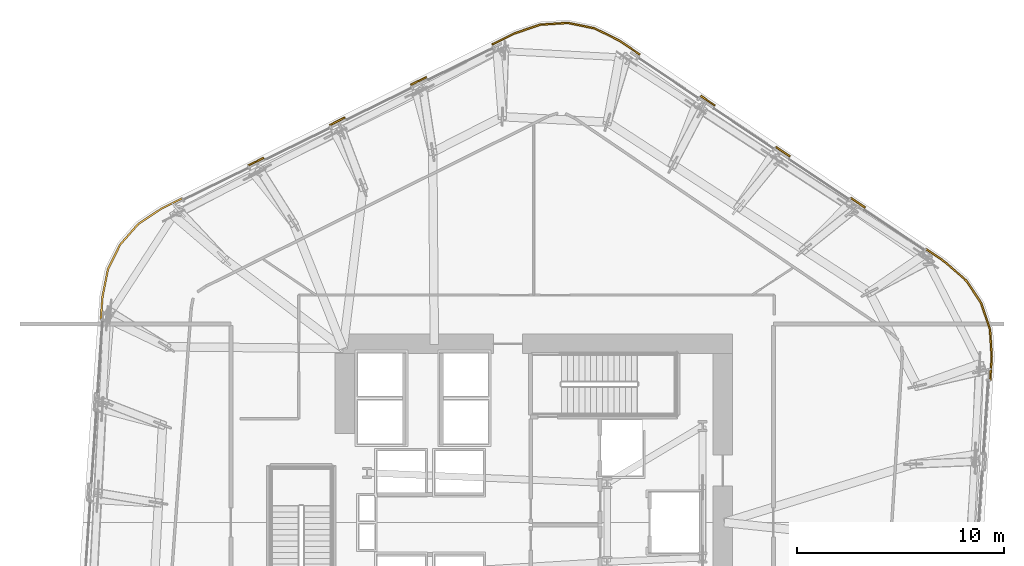
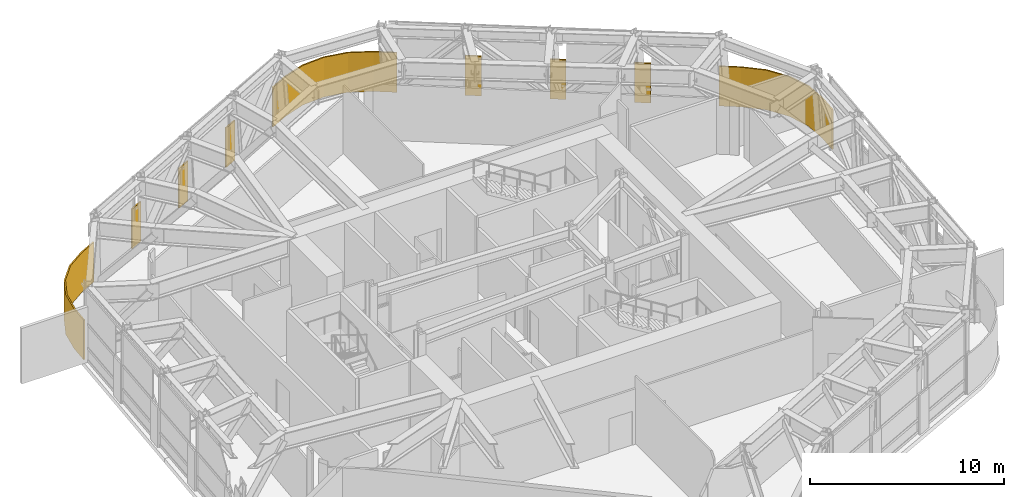
# One storey, part 14 of 14: 9 coverings.
"""IFC4 building model written with IfcOpenShell, lengths in metres."""

import ifcopenshell
import ifcopenshell.guid

model = None  # the IFC model being written
_history = None  # IfcOwnerHistory: only IFC2X3 demands one
_inside = {}  # id of a spatial element -> (the spatial element, [elements in it])
_under = {}  # id of a project, library or spatial element -> (it, [spatial elements below it])
_declared = {}  # id of a project -> (the project, [libraries it declares])
_typed = {}  # id of a type object -> (the type object, [elements of that type])
_made_of = {}  # id of a material, layer set ... -> (it, [elements and type objects made of it])


def new_model(schema):
    """Start an empty IFC model of exactly this schema.

    Asked for "IFC4X3", IfcOpenShell would pick the latest addendum, in which some entities
    have other attributes; the version numbers below select the first issue.
    IFC2X3 requires an IfcOwnerHistory on every rooted entity: one is made here for all.
    """
    global model, _history
    if schema == "IFC4X3":
        model = ifcopenshell.file(schema_version=(4, 3, 0, 0))
    else:
        model = ifcopenshell.file(schema=schema)
    _inside.clear()
    _under.clear()
    _declared.clear()
    _typed.clear()
    _made_of.clear()
    _history = None
    if model.schema == "IFC2X3":
        org = make("IfcOrganization", Name="unknown")
        user = make(
            "IfcPersonAndOrganization",
            ThePerson=make("IfcPerson", FamilyName="unknown"),
            TheOrganization=org,
        )
        app = make(
            "IfcApplication",
            ApplicationDeveloper=org,
            Version="unknown",
            ApplicationFullName="unknown",
            ApplicationIdentifier="unknown",
        )
        _history = make(
            "IfcOwnerHistory",
            OwningUser=user,
            OwningApplication=app,
            ChangeAction="ADDED",
            CreationDate=0,
        )
    return model


def make(cls, **values):
    """One entity of the class cls with the attributes given. An attribute that is None is left unset."""
    return model.create_entity(
        cls, **{name: value for name, value in values.items() if value is not None}
    )


def rooted(cls, **values):
    """An entity with a GlobalId (a new one), such as an element, a storey or a relation."""
    return make(cls, GlobalId=ifcopenshell.guid.new(), OwnerHistory=_history, **values)


def si_unit(unit_type, name, prefix=None):
    """IfcSIUnit, for example si_unit("LENGTHUNIT", "METRE", prefix="MILLI")."""
    return make("IfcSIUnit", UnitType=unit_type, Prefix=prefix, Name=name)


def assignment(units):
    """IfcUnitAssignment: the units of a project."""
    return None if units is None else make("IfcUnitAssignment", Units=units)


def point(xyz):
    """IfcCartesianPoint."""
    return None if xyz is None else make("IfcCartesianPoint", Coordinates=xyz)


def direction(xyz):
    """IfcDirection."""
    return None if xyz is None else make("IfcDirection", DirectionRatios=xyz)


def frame(location, z_axis=None, x_axis=None):
    """IfcAxis2Placement3D, a coordinate frame: its origin and axes. An axis left out is left unset."""
    return make(
        "IfcAxis2Placement3D",
        Location=point(location),
        Axis=direction(z_axis),
        RefDirection=direction(x_axis),
    )


def origin():
    """The frame at (0, 0, 0) with its axes left unset."""
    return frame((0.0, 0.0, 0.0))


def place(relative_to, where):
    """IfcLocalPlacement: puts the frame where relative to a parent placement (None: the world)."""
    return make(
        "IfcLocalPlacement", PlacementRelTo=relative_to, RelativePlacement=where
    )


def context(
    kind, dimensions, precision=None, world=None, true_north=None, identifier=None
):
    """IfcGeometricRepresentationContext, for example the 3D "Model" context."""
    return make(
        "IfcGeometricRepresentationContext",
        ContextIdentifier=identifier,
        ContextType=kind,
        CoordinateSpaceDimension=dimensions,
        Precision=precision,
        WorldCoordinateSystem=world,
        TrueNorth=true_north,
    )


def subcontext(parent, identifier, kind, view, scale=None):
    """IfcGeometricRepresentationSubContext, for example "Body" below "Model"."""
    return make(
        "IfcGeometricRepresentationSubContext",
        ContextIdentifier=identifier,
        ContextType=kind,
        ParentContext=parent,
        TargetScale=scale,
        TargetView=view,
    )


def project(units=None, contexts=None):
    """IfcProject with its units and contexts."""
    return rooted(
        "IfcProject",
        Name="project",
        RepresentationContexts=contexts,
        UnitsInContext=assignment(units),
    )


def spatial(cls, under=None, at=None, **own):
    """A site, building, storey or space (cls), placed at a placement, below another one or the project."""
    s = rooted(cls, ObjectPlacement=at, **own)
    if under is not None:
        _under.setdefault(under.id(), (under, []))[1].append(s)
    return s


def polyline(points):
    """IfcPolyline through the points."""
    return make("IfcPolyline", Points=[point(p) for p in points])


def outline(outer, holes=None, kind="AREA"):
    """IfcArbitraryClosedProfileDef: a profile drawn as a closed curve; with holes, ...WithVoids."""
    if holes is None:
        return make("IfcArbitraryClosedProfileDef", ProfileType=kind, OuterCurve=outer)
    return make(
        "IfcArbitraryProfileDefWithVoids",
        ProfileType=kind,
        OuterCurve=outer,
        InnerCurves=holes,
    )


def extrude(swept, where, along, depth):
    """IfcExtrudedAreaSolid: the profile swept, set in the frame where, extruded along a direction by depth."""
    return make(
        "IfcExtrudedAreaSolid",
        SweptArea=swept,
        Position=where,
        ExtrudedDirection=direction(along),
        Depth=depth,
    )


def shape(context_of_items, identifier, shape_type, items):
    """IfcShapeRepresentation: the items that make up one representation, for example the "Body"."""
    return make(
        "IfcShapeRepresentation",
        ContextOfItems=context_of_items,
        RepresentationIdentifier=identifier,
        RepresentationType=shape_type,
        Items=items,
    )


def material(Name=None, Category=None):
    """IfcMaterial."""
    return make("IfcMaterial", Name=Name, Category=Category)


def layer(
    of_material, thickness, ventilated=None, Name=None, Category=None, Priority=None
):
    """IfcMaterialLayer: one layer of a wall or slab, of a material (None: an air gap)."""
    return make(
        "IfcMaterialLayer",
        Material=of_material,
        LayerThickness=thickness,
        IsVentilated=ventilated,
        Name=Name,
        Category=Category,
        Priority=Priority,
    )


def layer_set(layers, Name=None):
    """IfcMaterialLayerSet."""
    return make("IfcMaterialLayerSet", MaterialLayers=layers, LayerSetName=Name)


def made_of(thing, what):
    """Note that an element or type object is made of a material, layer set ...; save() writes the relation."""
    if what is not None:
        _made_of.setdefault(what.id(), (what, []))[1].append(thing)
    return thing


def type_object(cls, material=None, **own):
    """A type object (cls), such as IfcWallType, which elements share."""
    return made_of(rooted(cls, **own), material)


def element(
    cls,
    number,
    at=None,
    inside=None,
    cuts=None,
    type_object=None,
    material=None,
    context=None,
    identifier="Body",
    shape_type=None,
    held_by="IfcProductDefinitionShape",
    body=None,
    shapes=None,
    **own,
):
    """One element of the class cls, such as IfcWall. Its Tag is "e" and its number.

    at: its placement. inside: the storey or other place that contains it. cuts: it is an
    opening in that element (IfcRelVoidsElement). A single representation is given by context,
    identifier, shape_type and body (its items); several are given by shapes. held_by: the class
    of the entity that holds the representations. save() writes the other relations.
    """
    e = rooted(cls, Tag="e%d" % number, ObjectPlacement=at, **own)
    if body is not None:
        shapes = [shape(context, identifier, shape_type, body)]
    if shapes is not None:
        e.Representation = make(held_by, Representations=shapes)
    if inside is not None:
        _inside.setdefault(inside.id(), (inside, []))[1].append(e)
    if cuts is not None:
        rooted(
            "IfcRelVoidsElement", RelatingBuildingElement=cuts, RelatedOpeningElement=e
        )
    if type_object is not None:
        _typed.setdefault(type_object.id(), (type_object, []))[1].append(e)
    return made_of(e, material)


def aggregate(whole, parts):
    """IfcRelAggregates: a whole, such as a stair, and the parts it consists of."""
    return rooted("IfcRelAggregates", RelatingObject=whole, RelatedObjects=parts)


def save(model, path):
    """Write the relations noted so far, then the file.

    IfcRelAggregates (storeys below a building ...), IfcRelContainedInSpatialStructure (elements
    in a storey), IfcRelDefinesByType, IfcRelAssociatesMaterial and IfcRelDeclares: one each for
    every whole, place, type object, material and project.
    """
    for whole, parts in _under.values():
        aggregate(whole, parts)
    for where, things in _inside.values():
        rooted(
            "IfcRelContainedInSpatialStructure",
            RelatedElements=things,
            RelatingStructure=where,
        )
    for kind, things in _typed.values():
        rooted("IfcRelDefinesByType", RelatedObjects=things, RelatingType=kind)
    for what, things in _made_of.values():
        rooted("IfcRelAssociatesMaterial", RelatedObjects=things, RelatingMaterial=what)
    for by, libraries in _declared.values():
        rooted("IfcRelDeclares", RelatingContext=by, RelatedDefinitions=libraries)
    model.write(path)


model = new_model("IFC4")

# Units and contexts
model_context = context("Model", 3, precision=1e-05, world=origin(), true_north=direction((0.0, 1.0)))
body_context = subcontext(model_context, "Body", "Model", "MODEL_VIEW")
ifc_project = project(units=[si_unit("LENGTHUNIT", "METRE"), si_unit("AREAUNIT", "SQUARE_METRE"), si_unit("VOLUMEUNIT", "CUBIC_METRE"), si_unit("PLANEANGLEUNIT", "RADIAN"), si_unit("MASSUNIT", "GRAM", prefix="KILO")], contexts=[model_context])

# Site, building, storey
site_placement = place(None, origin())
site = spatial("IfcSite", under=ifc_project, at=site_placement, CompositionType="ELEMENT")
building_placement = place(site_placement, origin())
building = spatial("IfcBuilding", under=site, at=building_placement, Name="Valkerne Bourse Tower", CompositionType="ELEMENT")
storey_placement = place(building_placement, frame((0.0, 0.0, 135.199951171875)))
storey = spatial("IfcBuildingStorey", under=building, at=storey_placement, Name="L34", CompositionType="ELEMENT", Elevation=135.199951171875)

# Coverings
ifc_material = material(Name="Bronze Anodised Aluminium AA 6063-T6", Category="aluminium")
ifc_layer = layer(ifc_material, 0.06005859375)
ifc_layer_set = layer_set([ifc_layer], Name="Bronze Anodised Aluminium AA 6063-T6")
covering_type = type_object("IfcCoveringType", Name="COV-CRN-ALUM", PredefinedType="CLADDING", material=ifc_layer_set)
covering_1_placement = place(storey_placement, origin())
element("IfcCovering", 1, at=covering_1_placement, inside=storey, type_object=covering_type, Name="L34 Wind-Shaped Corner Aluminium Cladding 13", PredefinedType="CLADDING", context=body_context, shape_type="SweptSolid", body=[
    extrude(outline(polyline([(25.94482421875, 37.934814453125), (26.209228515625, 39.246337890625), (26.801025390625, 40.438720703125), (27.681396484375, 41.437255859375), (28.7958984375, 42.177490234375), (29.8212890625, 42.686767578125), (29.856689453125, 42.614990234375), (28.8359375, 42.108154296875), (27.734375, 41.37646484375), (26.8681640625, 40.393798828125), (26.28564453125, 39.22021484375), (26.024169921875, 37.923828125), (25.940673828125, 36.787353515625), (25.86083984375, 36.79296875), (25.94482421875, 37.934814453125)])), origin(), (0.0, 0.0, 1.0), 2.5),
])
covering_2_placement = place(storey_placement, origin())
element("IfcCovering", 2, at=covering_2_placement, inside=storey, type_object=covering_type, Name="L34 Wind-Shaped Corner Aluminium Cladding 14", PredefinedType="CLADDING", context=body_context, shape_type="SweptSolid", body=[
    extrude(outline(polyline([(33.747314453125, 44.635986328125), (33.782470703125, 44.564208984375), (33.030029296875, 44.1904296875), (32.994873046875, 44.26220703125), (33.747314453125, 44.635986328125)])), origin(), (0.0, 0.0, 1.0), 2.5),
])
covering_3_placement = place(storey_placement, origin())
element("IfcCovering", 3, at=covering_3_placement, inside=storey, type_object=covering_type, Name="L34 Wind-Shaped Corner Aluminium Cladding 15", PredefinedType="CLADDING", context=body_context, shape_type="SweptSolid", body=[
    extrude(outline(polyline([(37.673095703125, 46.585205078125), (37.708251953125, 46.51318359375), (36.955810546875, 46.1396484375), (36.920654296875, 46.21142578125), (37.673095703125, 46.585205078125)])), origin(), (0.0, 0.0, 1.0), 2.5),
])
covering_4_placement = place(storey_placement, origin())
element("IfcCovering", 4, at=covering_4_placement, inside=storey, type_object=covering_type, Name="L34 Wind-Shaped Corner Aluminium Cladding 16", PredefinedType="CLADDING", context=body_context, shape_type="SweptSolid", body=[
    extrude(outline(polyline([(41.598876953125, 48.5341796875), (41.634033203125, 48.46240234375), (40.881591796875, 48.0888671875), (40.846435546875, 48.16064453125), (41.598876953125, 48.5341796875)])), origin(), (0.0, 0.0, 1.0), 2.5),
])
covering_5_placement = place(storey_placement, origin())
element("IfcCovering", 5, at=covering_5_placement, inside=storey, type_object=covering_type, Name="L34 Wind-Shaped Corner Aluminium Cladding 17", PredefinedType="CLADDING", context=body_context, shape_type="SweptSolid", body=[
    extrude(outline(polyline([(45.8505859375, 50.64501953125), (47.1181640625, 51.07177734375), (48.44677734375, 51.155517578125), (49.751708984375, 50.89208984375), (50.94970703125, 50.297607421875), (51.9453125, 49.620849609375), (51.900634765625, 49.554443359375), (50.9091796875, 50.228271484375), (49.7255859375, 50.81591796875), (48.44140625, 51.074951171875), (47.1337890625, 50.992431640625), (45.881103515625, 50.571044921875), (44.8076171875, 50.037841796875), (44.772216796875, 50.10986328125), (45.8505859375, 50.64501953125)])), origin(), (0.0, 0.0, 1.0), 2.5),
])
covering_6_placement = place(storey_placement, origin())
element("IfcCovering", 6, at=covering_6_placement, inside=storey, type_object=covering_type, Name="L34 Wind-Shaped Corner Aluminium Cladding 18", PredefinedType="CLADDING", context=body_context, shape_type="SweptSolid", body=[
    extrude(outline(polyline([(55.5703125, 47.156982421875), (55.525634765625, 47.090576171875), (54.830810546875, 47.562744140625), (54.87548828125, 47.629150390625), (55.5703125, 47.156982421875)])), origin(), (0.0, 0.0, 1.0), 2.5),
])
covering_7_placement = place(storey_placement, origin())
element("IfcCovering", 7, at=covering_7_placement, inside=storey, type_object=covering_type, Name="L34 Wind-Shaped Corner Aluminium Cladding 19", PredefinedType="CLADDING", context=body_context, shape_type="SweptSolid", body=[
    extrude(outline(polyline([(59.1953125, 44.693115234375), (59.150634765625, 44.626708984375), (58.455810546875, 45.098876953125), (58.50048828125, 45.165283203125), (59.1953125, 44.693115234375)])), origin(), (0.0, 0.0, 1.0), 2.5),
])
covering_8_placement = place(storey_placement, origin())
element("IfcCovering", 8, at=covering_8_placement, inside=storey, type_object=covering_type, Name="L34 Wind-Shaped Corner Aluminium Cladding 20", PredefinedType="CLADDING", context=body_context, shape_type="SweptSolid", body=[
    extrude(outline(polyline([(62.820068359375, 42.229248046875), (62.775390625, 42.162841796875), (62.080810546875, 42.635009765625), (62.12548828125, 42.701416015625), (62.820068359375, 42.229248046875)])), origin(), (0.0, 0.0, 1.0), 2.5),
])
covering_9_placement = place(storey_placement, origin())
element("IfcCovering", 9, at=covering_9_placement, inside=storey, type_object=covering_type, Name="L34 Wind-Shaped Corner Aluminium Cladding 21", PredefinedType="CLADDING", context=body_context, shape_type="SweptSolid", body=[
    extrude(outline(polyline([(66.697509765625, 39.59375), (67.701171875, 38.708984375), (68.437744140625, 37.60009765625), (68.8623046875, 36.338623046875), (68.9462890625, 35.003173828125), (68.87451171875, 33.8603515625), (68.794677734375, 33.865966796875), (68.8662109375, 35.003173828125), (68.783203125, 36.322998046875), (68.365234375, 37.564697265625), (67.640380859375, 38.656005859375), (66.648193359375, 39.530517578125), (65.705810546875, 40.171142578125), (65.75048828125, 40.237548828125), (66.697509765625, 39.59375)])), origin(), (0.0, 0.0, 1.0), 2.5),
])

save(model, "model.ifc")
